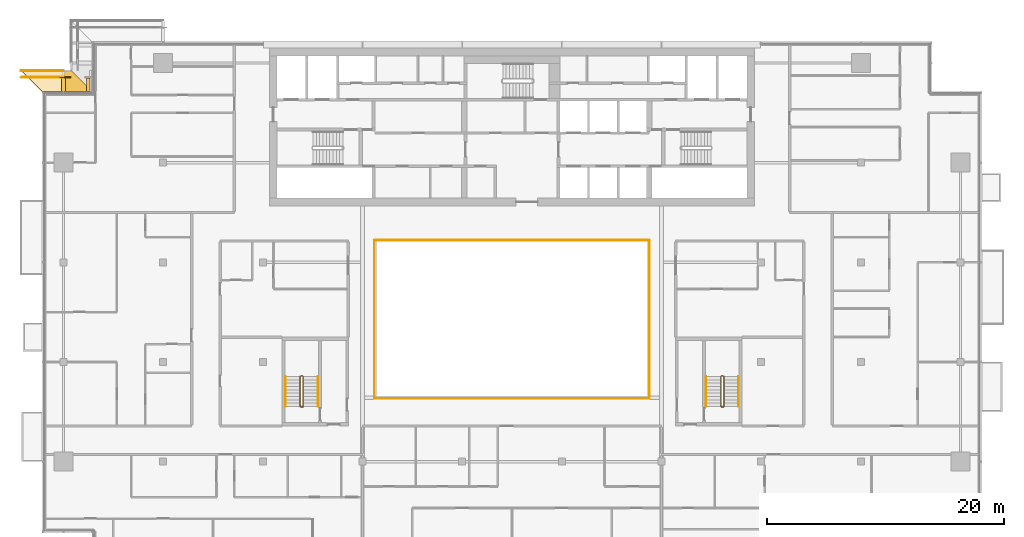
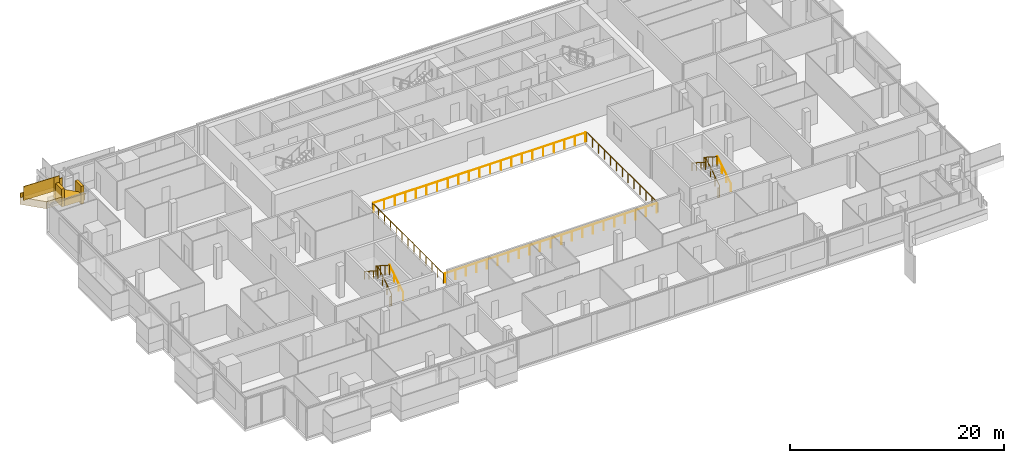
# One storey, part 26 of 30: 13 railings, 5 coverings.
"""IFC4 building model written with IfcOpenShell, lengths in metres."""

from ifc_helpers import new_model, si_unit, direction, frame, origin, origin_2d, place, context, subcontext, project, spatial, polyline, rectangle, circle, outline, extrude, material, layer, layer_set, type_object, element, save


model = new_model("IFC4")

# Units and contexts
model_context = context("Model", 3, precision=1e-05, world=origin(), true_north=direction((0.0, 1.0)))
body_context = subcontext(model_context, "Body", "Model", "MODEL_VIEW")
ifc_project = project(units=[si_unit("LENGTHUNIT", "METRE"), si_unit("AREAUNIT", "SQUARE_METRE"), si_unit("VOLUMEUNIT", "CUBIC_METRE"), si_unit("PLANEANGLEUNIT", "RADIAN"), si_unit("MASSUNIT", "GRAM", prefix="KILO")], contexts=[model_context])

# Site, building, storey
site_placement = place(None, origin())
site = spatial("IfcSite", under=ifc_project, at=site_placement, CompositionType="ELEMENT")
building_placement = place(site_placement, origin())
building = spatial("IfcBuilding", under=site, at=building_placement, Name="Saffron Gate Tower", CompositionType="ELEMENT")
storey_placement = place(building_placement, frame((0.0, 0.0, 216.300048828125)))
storey = spatial("IfcBuildingStorey", under=building, at=storey_placement, Name="L52", CompositionType="ELEMENT", Elevation=216.300048828125)

# Railings
ifc_material_1 = material(Name="Stainless steel and laminated glass", Category="steel")
railing_type_1 = type_object("IfcRailingType", Name="AG1 Atrium edge guard 1100", PredefinedType="GUARDRAIL", material=ifc_material_1)
railing_1_placement = place(storey_placement, frame((76.02001953125, 45.5400390625, 0.0)))
element("IfcRailing", 1, at=railing_1_placement, inside=storey, type_object=railing_type_1, Name="Guard D2-1", PredefinedType="GUARDRAIL", context=body_context, shape_type="SweptSolid", body=[
    extrude(circle(Radius=0.02392578125, at=origin_2d()), frame((0.0, 0.0, 1.076171875), z_axis=(0.0, 1.0, 0.0), x_axis=(-1.0, 0.0, 0.0)), (0.0, 0.0, 1.0), 13.320068359375),
    extrude(circle(Radius=0.02099609375, at=origin_2d()), origin(), (0.0, 0.0, 1.0), 1.052001953125),
    extrude(circle(Radius=0.02099609375, at=origin_2d()), frame((0.0, 1.110107421875, 0.0)), (0.0, 0.0, 1.0), 1.052001953125),
    extrude(circle(Radius=0.02099609375, at=origin_2d()), frame((0.0, 2.219970703125, 0.0)), (0.0, 0.0, 1.0), 1.052001953125),
    extrude(circle(Radius=0.02099609375, at=origin_2d()), frame((0.0, 3.330078125, 0.0)), (0.0, 0.0, 1.0), 1.052001953125),
    extrude(circle(Radius=0.02099609375, at=origin_2d()), frame((0.0, 4.43994140625, 0.0)), (0.0, 0.0, 1.0), 1.052001953125),
    extrude(circle(Radius=0.02099609375, at=origin_2d()), frame((0.0, 5.550048828125, 0.0)), (0.0, 0.0, 1.0), 1.052001953125),
    extrude(circle(Radius=0.02099609375, at=origin_2d()), frame((0.0, 6.66015625, 0.0)), (0.0, 0.0, 1.0), 1.052001953125),
    extrude(circle(Radius=0.02099609375, at=origin_2d()), frame((0.0, 7.77001953125, 0.0)), (0.0, 0.0, 1.0), 1.052001953125),
    extrude(circle(Radius=0.02099609375, at=origin_2d()), frame((0.0, 8.880126953125, 0.0)), (0.0, 0.0, 1.0), 1.052001953125),
    extrude(circle(Radius=0.02099609375, at=origin_2d()), frame((0.0, 9.989990234375, 0.0)), (0.0, 0.0, 1.0), 1.052001953125),
    extrude(circle(Radius=0.02099609375, at=origin_2d()), frame((0.0, 11.10009765625, 0.0)), (0.0, 0.0, 1.0), 1.052001953125),
    extrude(circle(Radius=0.02099609375, at=origin_2d()), frame((0.0, 12.2099609375, 0.0)), (0.0, 0.0, 1.0), 1.052001953125),
    extrude(circle(Radius=0.02099609375, at=origin_2d()), frame((0.0, 13.320068359375, 0.0)), (0.0, 0.0, 1.0), 1.052001953125),
])
railing_2_placement = place(storey_placement, frame((76.139892578125, 58.860107421875, 0.0)))
element("IfcRailing", 2, at=railing_2_placement, inside=storey, type_object=railing_type_1, Name="Guard D2-2", PredefinedType="GUARDRAIL", context=body_context, shape_type="SweptSolid", body=[
    extrude(circle(Radius=0.02392578125, at=origin_2d()), frame((0.0, 0.0, 1.076171875), z_axis=(1.0, 0.0, 0.0), x_axis=(0.0, 1.0, 0.0)), (0.0, 0.0, 1.0), 22.920166015625),
    extrude(circle(Radius=0.02099609375, at=origin_2d()), origin(), (0.0, 0.0, 1.0), 1.052001953125),
    extrude(circle(Radius=0.02099609375, at=origin_2d()), frame((1.14599609375, 0.0, 0.0)), (0.0, 0.0, 1.0), 1.052001953125),
    extrude(circle(Radius=0.02099609375, at=origin_2d()), frame((2.2919921875, 0.0, 0.0)), (0.0, 0.0, 1.0), 1.052001953125),
    extrude(circle(Radius=0.02099609375, at=origin_2d()), frame((3.43798828125, 0.0, 0.0)), (0.0, 0.0, 1.0), 1.052001953125),
    extrude(circle(Radius=0.02099609375, at=origin_2d()), frame((4.583984375, 0.0, 0.0)), (0.0, 0.0, 1.0), 1.052001953125),
    extrude(circle(Radius=0.02099609375, at=origin_2d()), frame((5.72998046875, 0.0, 0.0)), (0.0, 0.0, 1.0), 1.052001953125),
    extrude(circle(Radius=0.02099609375, at=origin_2d()), frame((6.8759765625, 0.0, 0.0)), (0.0, 0.0, 1.0), 1.052001953125),
    extrude(circle(Radius=0.02099609375, at=origin_2d()), frame((8.02197265625, 0.0, 0.0)), (0.0, 0.0, 1.0), 1.052001953125),
    extrude(circle(Radius=0.02099609375, at=origin_2d()), frame((9.16796875, 0.0, 0.0)), (0.0, 0.0, 1.0), 1.052001953125),
    extrude(circle(Radius=0.02099609375, at=origin_2d()), frame((10.31396484375, 0.0, 0.0)), (0.0, 0.0, 1.0), 1.052001953125),
    extrude(circle(Radius=0.02099609375, at=origin_2d()), frame((11.4599609375, 0.0, 0.0)), (0.0, 0.0, 1.0), 1.052001953125),
    extrude(circle(Radius=0.02099609375, at=origin_2d()), frame((12.606201171875, 0.0, 0.0)), (0.0, 0.0, 1.0), 1.052001953125),
    extrude(circle(Radius=0.02099609375, at=origin_2d()), frame((13.752197265625, 0.0, 0.0)), (0.0, 0.0, 1.0), 1.052001953125),
    extrude(circle(Radius=0.02099609375, at=origin_2d()), frame((14.898193359375, 0.0, 0.0)), (0.0, 0.0, 1.0), 1.052001953125),
    extrude(circle(Radius=0.02099609375, at=origin_2d()), frame((16.044189453125, 0.0, 0.0)), (0.0, 0.0, 1.0), 1.052001953125),
    extrude(circle(Radius=0.02099609375, at=origin_2d()), frame((17.190185546875, 0.0, 0.0)), (0.0, 0.0, 1.0), 1.052001953125),
    extrude(circle(Radius=0.02099609375, at=origin_2d()), frame((18.336181640625, 0.0, 0.0)), (0.0, 0.0, 1.0), 1.052001953125),
    extrude(circle(Radius=0.02099609375, at=origin_2d()), frame((19.482177734375, 0.0, 0.0)), (0.0, 0.0, 1.0), 1.052001953125),
    extrude(circle(Radius=0.02099609375, at=origin_2d()), frame((20.628173828125, 0.0, 0.0)), (0.0, 0.0, 1.0), 1.052001953125),
    extrude(circle(Radius=0.02099609375, at=origin_2d()), frame((21.774169921875, 0.0, 0.0)), (0.0, 0.0, 1.0), 1.052001953125),
    extrude(circle(Radius=0.02099609375, at=origin_2d()), frame((22.920166015625, 0.0, 0.0)), (0.0, 0.0, 1.0), 1.052001953125),
])
railing_3_placement = place(storey_placement, frame((99.179931640625, 58.860107421875, 0.0)))
element("IfcRailing", 3, at=railing_3_placement, inside=storey, type_object=railing_type_1, Name="Guard D2-3", PredefinedType="GUARDRAIL", context=body_context, shape_type="SweptSolid", body=[
    extrude(circle(Radius=0.02392578125, at=origin_2d()), frame((0.0, 0.0, 1.076171875), z_axis=(0.0, -1.0, 0.0), x_axis=(1.0, 0.0, 0.0)), (0.0, 0.0, 1.0), 13.320068359375),
    extrude(circle(Radius=0.02099609375, at=origin_2d()), origin(), (0.0, 0.0, 1.0), 1.052001953125),
    extrude(circle(Radius=0.02099609375, at=origin_2d()), frame((0.0, -1.110107421875, 0.0)), (0.0, 0.0, 1.0), 1.052001953125),
    extrude(circle(Radius=0.02099609375, at=origin_2d()), frame((0.0, -2.219970703125, 0.0)), (0.0, 0.0, 1.0), 1.052001953125),
    extrude(circle(Radius=0.02099609375, at=origin_2d()), frame((0.0, -3.330078125, 0.0)), (0.0, 0.0, 1.0), 1.052001953125),
    extrude(circle(Radius=0.02099609375, at=origin_2d()), frame((0.0, -4.43994140625, 0.0)), (0.0, 0.0, 1.0), 1.052001953125),
    extrude(circle(Radius=0.02099609375, at=origin_2d()), frame((0.0, -5.550048828125, 0.0)), (0.0, 0.0, 1.0), 1.052001953125),
    extrude(circle(Radius=0.02099609375, at=origin_2d()), frame((0.0, -6.66015625, 0.0)), (0.0, 0.0, 1.0), 1.052001953125),
    extrude(circle(Radius=0.02099609375, at=origin_2d()), frame((0.0, -7.77001953125, 0.0)), (0.0, 0.0, 1.0), 1.052001953125),
    extrude(circle(Radius=0.02099609375, at=origin_2d()), frame((0.0, -8.880126953125, 0.0)), (0.0, 0.0, 1.0), 1.052001953125),
    extrude(circle(Radius=0.02099609375, at=origin_2d()), frame((0.0, -9.989990234375, 0.0)), (0.0, 0.0, 1.0), 1.052001953125),
    extrude(circle(Radius=0.02099609375, at=origin_2d()), frame((0.0, -11.10009765625, 0.0)), (0.0, 0.0, 1.0), 1.052001953125),
    extrude(circle(Radius=0.02099609375, at=origin_2d()), frame((0.0, -12.2099609375, 0.0)), (0.0, 0.0, 1.0), 1.052001953125),
    extrude(circle(Radius=0.02099609375, at=origin_2d()), frame((0.0, -13.320068359375, 0.0)), (0.0, 0.0, 1.0), 1.052001953125),
])
railing_4_placement = place(storey_placement, frame((99.06005859375, 45.5400390625, 0.0)))
element("IfcRailing", 4, at=railing_4_placement, inside=storey, type_object=railing_type_1, Name="Guard D2-4", PredefinedType="GUARDRAIL", context=body_context, shape_type="SweptSolid", body=[
    extrude(circle(Radius=0.02392578125, at=origin_2d()), frame((0.0, 0.0, 1.076171875), z_axis=(-1.0, 0.0, 0.0), x_axis=(0.0, -1.0, 0.0)), (0.0, 0.0, 1.0), 22.920166015625),
    extrude(circle(Radius=0.02099609375, at=origin_2d()), origin(), (0.0, 0.0, 1.0), 1.052001953125),
    extrude(circle(Radius=0.02099609375, at=origin_2d()), frame((-1.14599609375, 0.0, 0.0)), (0.0, 0.0, 1.0), 1.052001953125),
    extrude(circle(Radius=0.02099609375, at=origin_2d()), frame((-2.2919921875, 0.0, 0.0)), (0.0, 0.0, 1.0), 1.052001953125),
    extrude(circle(Radius=0.02099609375, at=origin_2d()), frame((-3.43798828125, 0.0, 0.0)), (0.0, 0.0, 1.0), 1.052001953125),
    extrude(circle(Radius=0.02099609375, at=origin_2d()), frame((-4.583984375, 0.0, 0.0)), (0.0, 0.0, 1.0), 1.052001953125),
    extrude(circle(Radius=0.02099609375, at=origin_2d()), frame((-5.72998046875, 0.0, 0.0)), (0.0, 0.0, 1.0), 1.052001953125),
    extrude(circle(Radius=0.02099609375, at=origin_2d()), frame((-6.8759765625, 0.0, 0.0)), (0.0, 0.0, 1.0), 1.052001953125),
    extrude(circle(Radius=0.02099609375, at=origin_2d()), frame((-8.02197265625, 0.0, 0.0)), (0.0, 0.0, 1.0), 1.052001953125),
    extrude(circle(Radius=0.02099609375, at=origin_2d()), frame((-9.16796875, 0.0, 0.0)), (0.0, 0.0, 1.0), 1.052001953125),
    extrude(circle(Radius=0.02099609375, at=origin_2d()), frame((-10.31396484375, 0.0, 0.0)), (0.0, 0.0, 1.0), 1.052001953125),
    extrude(circle(Radius=0.02099609375, at=origin_2d()), frame((-11.4599609375, 0.0, 0.0)), (0.0, 0.0, 1.0), 1.052001953125),
    extrude(circle(Radius=0.02099609375, at=origin_2d()), frame((-12.606201171875, 0.0, 0.0)), (0.0, 0.0, 1.0), 1.052001953125),
    extrude(circle(Radius=0.02099609375, at=origin_2d()), frame((-13.752197265625, 0.0, 0.0)), (0.0, 0.0, 1.0), 1.052001953125),
    extrude(circle(Radius=0.02099609375, at=origin_2d()), frame((-14.898193359375, 0.0, 0.0)), (0.0, 0.0, 1.0), 1.052001953125),
    extrude(circle(Radius=0.02099609375, at=origin_2d()), frame((-16.044189453125, 0.0, 0.0)), (0.0, 0.0, 1.0), 1.052001953125),
    extrude(circle(Radius=0.02099609375, at=origin_2d()), frame((-17.190185546875, 0.0, 0.0)), (0.0, 0.0, 1.0), 1.052001953125),
    extrude(circle(Radius=0.02099609375, at=origin_2d()), frame((-18.336181640625, 0.0, 0.0)), (0.0, 0.0, 1.0), 1.052001953125),
    extrude(circle(Radius=0.02099609375, at=origin_2d()), frame((-19.482177734375, 0.0, 0.0)), (0.0, 0.0, 1.0), 1.052001953125),
    extrude(circle(Radius=0.02099609375, at=origin_2d()), frame((-20.628173828125, 0.0, 0.0)), (0.0, 0.0, 1.0), 1.052001953125),
    extrude(circle(Radius=0.02099609375, at=origin_2d()), frame((-21.774169921875, 0.0, 0.0)), (0.0, 0.0, 1.0), 1.052001953125),
    extrude(circle(Radius=0.02099609375, at=origin_2d()), frame((-22.920166015625, 0.0, 0.0)), (0.0, 0.0, 1.0), 1.052001953125),
])
railing_type_2 = type_object("IfcRailingType", Name="CR1 Stair guard 1100", PredefinedType="GUARDRAIL", material=ifc_material_1)
railing_5_placement = place(storey_placement, frame((69.800048828125, 44.800048828125, 0.0)))
element("IfcRailing", 5, at=railing_5_placement, inside=storey, type_object=railing_type_2, Name="L52 ST-D stair guard 1", PredefinedType="GUARDRAIL", context=body_context, shape_type="SweptSolid", body=[
    extrude(circle(Radius=0.02392578125, at=origin_2d()), frame((0.0, 0.0, 1.076171875), z_axis=(1.0, 0.0, 0.0), x_axis=(0.0, 1.0, 0.0)), (0.0, 0.0, 1.0), 0.14990234375),
    extrude(circle(Radius=0.02392578125, at=origin_2d()), frame((0.14990234375, 0.0, 1.076171875), z_axis=(0.258847668887, 0.258847668887, 0.930588936439), x_axis=(-0.707106781187, 0.707106781187, 0.0)), (0.0, 0.0, 1.0), 0.193359375),
    extrude(circle(Radius=0.02392578125, at=origin_2d()), frame((0.199951171875, 0.050048828125, 1.255859375), z_axis=(0.0, 0.841162588446, 0.540782303519), x_axis=(-1.0, 0.0, 0.0)), (0.0, 0.0, 1.0), 2.995849609375),
    extrude(circle(Radius=0.02392578125, at=origin_2d()), frame((0.199951171875, 2.570068359375, 2.8759765625), z_axis=(-0.708833529934, 0.705375805398, 0.0), x_axis=(-0.705375805398, -0.708833529934, 0.0)), (0.0, 0.0, 1.0), 0.070556640625),
    extrude(circle(Radius=0.02392578125, at=origin_2d()), frame((0.14990234375, 2.619873046875, 2.8759765625), z_axis=(-1.0, 0.0, 0.0), x_axis=(0.0, -1.0, 0.0)), (0.0, 0.0, 1.0), 0.14990234375),
    extrude(circle(Radius=0.02392578125, at=origin_2d()), frame((0.0, 2.619873046875, 2.8759765625), z_axis=(-0.258932105505, -0.257669022063, 0.930892496375), x_axis=(0.705375805398, -0.708833529934, 0.0)), (0.0, 0.0, 1.0), 0.193359375),
    extrude(circle(Radius=0.02392578125, at=origin_2d()), frame((-0.050048828125, 2.570068359375, 3.05615234375), z_axis=(0.0, -0.841199657755, 0.540724639528), x_axis=(1.0, 0.0, 0.0)), (0.0, 0.0, 1.0), 2.995849609375),
    extrude(circle(Radius=0.02099609375, at=origin_2d()), origin(), (0.0, 0.0, 1.0), 1.052001953125),
    extrude(circle(Radius=0.02099609375, at=origin_2d()), frame((0.14990234375, 0.0, 0.0)), (0.0, 0.0, 1.0), 1.052001953125),
    extrude(circle(Radius=0.02099609375, at=origin_2d()), frame((0.199951171875, 0.050048828125, 0.179931640625)), (0.0, 0.0, 1.0), 1.052001953125),
    extrude(circle(Radius=0.02099609375, at=origin_2d()), frame((0.199951171875, 0.89013671875, 0.719970703125)), (0.0, 0.0, 1.0), 1.052001953125),
    extrude(circle(Radius=0.02099609375, at=origin_2d()), frame((0.199951171875, 1.72998046875, 1.260009765625)), (0.0, 0.0, 1.0), 1.052001953125),
    extrude(circle(Radius=0.02099609375, at=origin_2d()), frame((0.199951171875, 2.570068359375, 1.800048828125)), (0.0, 0.0, 1.0), 1.052001953125),
    extrude(circle(Radius=0.02099609375, at=origin_2d()), frame((0.14990234375, 2.619873046875, 1.800048828125)), (0.0, 0.0, 1.0), 1.052001953125),
    extrude(circle(Radius=0.02099609375, at=origin_2d()), frame((0.0, 2.619873046875, 1.800048828125)), (0.0, 0.0, 1.0), 1.052001953125),
    extrude(circle(Radius=0.02099609375, at=origin_2d()), frame((-0.050048828125, 2.570068359375, 1.97998046875)), (0.0, 0.0, 1.0), 1.052001953125),
    extrude(circle(Radius=0.02099609375, at=origin_2d()), frame((-0.050048828125, 1.72998046875, 2.52001953125)), (0.0, 0.0, 1.0), 1.052001953125),
    extrude(circle(Radius=0.02099609375, at=origin_2d()), frame((-0.050048828125, 0.89013671875, 3.059814453125)), (0.0, 0.0, 1.0), 1.052001953125),
    extrude(circle(Radius=0.02099609375, at=origin_2d()), frame((-0.050048828125, 0.050048828125, 3.599853515625)), (0.0, 0.0, 1.0), 1.052001953125),
])
railing_6_placement = place(storey_placement, frame((105.25, 44.800048828125, 0.0)))
element("IfcRailing", 6, at=railing_6_placement, inside=storey, type_object=railing_type_2, Name="L52 ST-E stair guard 1", PredefinedType="GUARDRAIL", context=body_context, shape_type="SweptSolid", body=[
    extrude(circle(Radius=0.02392578125, at=origin_2d()), frame((0.0, 0.0, 1.076171875), z_axis=(1.0, 0.0, 0.0), x_axis=(0.0, 1.0, 0.0)), (0.0, 0.0, 1.0), 0.14990234375),
    extrude(circle(Radius=0.02392578125, at=origin_2d()), frame((0.14990234375, 0.0, 1.076171875), z_axis=(0.258847668887, 0.258847668887, 0.930588936439), x_axis=(-0.707106781187, 0.707106781187, 0.0)), (0.0, 0.0, 1.0), 0.193359375),
    extrude(circle(Radius=0.02392578125, at=origin_2d()), frame((0.199951171875, 0.050048828125, 1.255859375), z_axis=(0.0, 0.841162588446, 0.540782303519), x_axis=(-1.0, 0.0, 0.0)), (0.0, 0.0, 1.0), 2.995849609375),
    extrude(circle(Radius=0.02392578125, at=origin_2d()), frame((0.199951171875, 2.570068359375, 2.8759765625), z_axis=(-0.708833529934, 0.705375805398, 0.0), x_axis=(-0.705375805398, -0.708833529934, 0.0)), (0.0, 0.0, 1.0), 0.070556640625),
    extrude(circle(Radius=0.02392578125, at=origin_2d()), frame((0.14990234375, 2.619873046875, 2.8759765625), z_axis=(-1.0, 0.0, 0.0), x_axis=(0.0, -1.0, 0.0)), (0.0, 0.0, 1.0), 0.14990234375),
    extrude(circle(Radius=0.02392578125, at=origin_2d()), frame((0.0, 2.619873046875, 2.8759765625), z_axis=(-0.258932105505, -0.257669022063, 0.930892496375), x_axis=(0.705375805398, -0.708833529934, 0.0)), (0.0, 0.0, 1.0), 0.193359375),
    extrude(circle(Radius=0.02392578125, at=origin_2d()), frame((-0.050048828125, 2.570068359375, 3.05615234375), z_axis=(0.0, -0.841199657755, 0.540724639528), x_axis=(1.0, 0.0, 0.0)), (0.0, 0.0, 1.0), 2.995849609375),
    extrude(circle(Radius=0.02099609375, at=origin_2d()), origin(), (0.0, 0.0, 1.0), 1.052001953125),
    extrude(circle(Radius=0.02099609375, at=origin_2d()), frame((0.14990234375, 0.0, 0.0)), (0.0, 0.0, 1.0), 1.052001953125),
    extrude(circle(Radius=0.02099609375, at=origin_2d()), frame((0.199951171875, 0.050048828125, 0.179931640625)), (0.0, 0.0, 1.0), 1.052001953125),
    extrude(circle(Radius=0.02099609375, at=origin_2d()), frame((0.199951171875, 0.89013671875, 0.719970703125)), (0.0, 0.0, 1.0), 1.052001953125),
    extrude(circle(Radius=0.02099609375, at=origin_2d()), frame((0.199951171875, 1.72998046875, 1.260009765625)), (0.0, 0.0, 1.0), 1.052001953125),
    extrude(circle(Radius=0.02099609375, at=origin_2d()), frame((0.199951171875, 2.570068359375, 1.800048828125)), (0.0, 0.0, 1.0), 1.052001953125),
    extrude(circle(Radius=0.02099609375, at=origin_2d()), frame((0.14990234375, 2.619873046875, 1.800048828125)), (0.0, 0.0, 1.0), 1.052001953125),
    extrude(circle(Radius=0.02099609375, at=origin_2d()), frame((0.0, 2.619873046875, 1.800048828125)), (0.0, 0.0, 1.0), 1.052001953125),
    extrude(circle(Radius=0.02099609375, at=origin_2d()), frame((-0.050048828125, 2.570068359375, 1.97998046875)), (0.0, 0.0, 1.0), 1.052001953125),
    extrude(circle(Radius=0.02099609375, at=origin_2d()), frame((-0.050048828125, 1.72998046875, 2.52001953125)), (0.0, 0.0, 1.0), 1.052001953125),
    extrude(circle(Radius=0.02099609375, at=origin_2d()), frame((-0.050048828125, 0.89013671875, 3.059814453125)), (0.0, 0.0, 1.0), 1.052001953125),
    extrude(circle(Radius=0.02099609375, at=origin_2d()), frame((-0.050048828125, 0.050048828125, 3.599853515625)), (0.0, 0.0, 1.0), 1.052001953125),
])
ifc_material_2 = material(Name="Stainless steel", Category="steel")
railing_type_3 = type_object("IfcRailingType", Name="CR2 Stair handrail 900", PredefinedType="HANDRAIL", material=ifc_material_2)
railing_7_placement = place(storey_placement, frame((71.25, 44.85009765625, 0.179931640625)))
element("IfcRailing", 7, at=railing_7_placement, inside=storey, type_object=railing_type_3, Name="L52 ST-D stair handrail 1", PredefinedType="HANDRAIL", context=body_context, shape_type="SweptSolid", body=[
    extrude(circle(Radius=0.02392578125, at=origin_2d()), frame((0.0, 0.0, 0.8759765625), z_axis=(0.0, 0.841162588446, 0.540782303519), x_axis=(-1.0, 0.0, 0.0)), (0.0, 0.0, 1.0), 2.995849609375),
    extrude(circle(Radius=0.02099609375, at=origin_2d()), origin(), (0.0, 0.0, 1.0), 0.851806640625),
    extrude(circle(Radius=0.02099609375, at=origin_2d()), frame((0.0, 0.840087890625, 0.5400390625)), (0.0, 0.0, 1.0), 0.851806640625),
    extrude(circle(Radius=0.02099609375, at=origin_2d()), frame((0.0, 1.679931640625, 1.080078125)), (0.0, 0.0, 1.0), 0.851806640625),
    extrude(circle(Radius=0.02099609375, at=origin_2d()), frame((0.0, 2.52001953125, 1.6201171875)), (0.0, 0.0, 1.0), 0.851806640625),
])
railing_8_placement = place(storey_placement, frame((68.5, 47.3701171875, 1.97998046875)))
element("IfcRailing", 8, at=railing_8_placement, inside=storey, type_object=railing_type_3, Name="L52 ST-D stair handrail 2", PredefinedType="HANDRAIL", context=body_context, shape_type="SweptSolid", body=[
    extrude(circle(Radius=0.02392578125, at=origin_2d()), frame((0.0, 0.0, 0.8759765625), z_axis=(0.0, -0.841199657755, 0.540724639528), x_axis=(1.0, 0.0, 0.0)), (0.0, 0.0, 1.0), 2.995849609375),
    extrude(circle(Radius=0.02099609375, at=origin_2d()), origin(), (0.0, 0.0, 1.0), 0.851806640625),
    extrude(circle(Radius=0.02099609375, at=origin_2d()), frame((0.0, -0.840087890625, 0.5400390625)), (0.0, 0.0, 1.0), 0.851806640625),
    extrude(circle(Radius=0.02099609375, at=origin_2d()), frame((0.0, -1.679931640625, 1.079833984375)), (0.0, 0.0, 1.0), 0.851806640625),
    extrude(circle(Radius=0.02099609375, at=origin_2d()), frame((0.0, -2.52001953125, 1.619873046875)), (0.0, 0.0, 1.0), 0.851806640625),
])
railing_9_placement = place(storey_placement, frame((106.699951171875, 44.85009765625, 0.179931640625)))
element("IfcRailing", 9, at=railing_9_placement, inside=storey, type_object=railing_type_3, Name="L52 ST-E stair handrail 1", PredefinedType="HANDRAIL", context=body_context, shape_type="SweptSolid", body=[
    extrude(circle(Radius=0.02392578125, at=origin_2d()), frame((0.0, 0.0, 0.8759765625), z_axis=(0.0, 0.841162588446, 0.540782303519), x_axis=(-1.0, 0.0, 0.0)), (0.0, 0.0, 1.0), 2.995849609375),
    extrude(circle(Radius=0.02099609375, at=origin_2d()), origin(), (0.0, 0.0, 1.0), 0.851806640625),
    extrude(circle(Radius=0.02099609375, at=origin_2d()), frame((0.0, 0.840087890625, 0.5400390625)), (0.0, 0.0, 1.0), 0.851806640625),
    extrude(circle(Radius=0.02099609375, at=origin_2d()), frame((0.0, 1.679931640625, 1.080078125)), (0.0, 0.0, 1.0), 0.851806640625),
    extrude(circle(Radius=0.02099609375, at=origin_2d()), frame((0.0, 2.52001953125, 1.6201171875)), (0.0, 0.0, 1.0), 0.851806640625),
])
railing_10_placement = place(storey_placement, frame((103.949951171875, 47.3701171875, 1.97998046875)))
element("IfcRailing", 10, at=railing_10_placement, inside=storey, type_object=railing_type_3, Name="L52 ST-E stair handrail 2", PredefinedType="HANDRAIL", context=body_context, shape_type="SweptSolid", body=[
    extrude(circle(Radius=0.02392578125, at=origin_2d()), frame((0.0, 0.0, 0.8759765625), z_axis=(0.0, -0.841199657755, 0.540724639528), x_axis=(1.0, 0.0, 0.0)), (0.0, 0.0, 1.0), 2.995849609375),
    extrude(circle(Radius=0.02099609375, at=origin_2d()), origin(), (0.0, 0.0, 1.0), 0.851806640625),
    extrude(circle(Radius=0.02099609375, at=origin_2d()), frame((0.0, -0.840087890625, 0.5400390625)), (0.0, 0.0, 1.0), 0.851806640625),
    extrude(circle(Radius=0.02099609375, at=origin_2d()), frame((0.0, -1.679931640625, 1.079833984375)), (0.0, 0.0, 1.0), 0.851806640625),
    extrude(circle(Radius=0.02099609375, at=origin_2d()), frame((0.0, -2.52001953125, 1.619873046875)), (0.0, 0.0, 1.0), 0.851806640625),
])

# Coverings
ifc_material_3 = material(Name="Timber, thermally modified ash", Category="wood")
ifc_layer_1 = layer(ifc_material_3, 0.800048828125)
ifc_layer_set_1 = layer_set([ifc_layer_1], Name="LD1 ledge timber")
covering_type_1 = type_object("IfcCoveringType", Name="LD1 ledge timber", PredefinedType="CLADDING", material=ifc_layer_set_1)
covering_1_placement = place(storey_placement, frame((52.199951171875, 71.39990234375, 2.97802734375), z_axis=(0.028798988267, 2.8677152e-05, 0.999585222706), x_axis=(-0.999585223117, 6.17e-10, 0.028798988279)))
element("IfcCovering", 11, at=covering_1_placement, inside=storey, type_object=covering_type_1, Name="LEDGE", PredefinedType="CLADDING", context=body_context, shape_type="SweptSolid", body=[
    extrude(outline(polyline([(0.0, 0.0), (2.400896693585025, -4.235164736271502e-22), (2.400896694694882, -1.8000488273848385), (1.8007927832284332, -1.8000488292351673), (0.0, 0.0)])), origin(), (0.0, 0.0, -1.0), 0.800048828125),
])
covering_2_placement = place(storey_placement, frame((49.800048828125, 71.39990234375, 3.39013671875), z_axis=(0.028741681402, 0.0, 0.999586872538), x_axis=(-0.999586872538, 0.0, 0.028741681402)))
element("IfcCovering", 12, at=covering_2_placement, inside=storey, type_object=covering_type_1, Name="LEDGE", PredefinedType="CLADDING", context=body_context, shape_type="SweptSolid", body=[
    extrude(outline(polyline([(0.0, 0.0), (1.8007927850779974, 0.0), (3.601585570155995, -1.800048828125), (0.0, -1.800048828125), (0.0, 0.0)])), origin(), (0.0, 0.0, -1.0), 0.800048828125),
])
ifc_layer_2 = layer(ifc_material_3, 0.080078125)
ifc_layer_set_2 = layer_set([ifc_layer_2], Name="LD2 ledge planter trough")
covering_type_2 = type_object("IfcCoveringType", Name="LD2 ledge planter trough", PredefinedType="CLADDING", material=ifc_layer_set_2)
covering_3_placement = place(storey_placement, frame((49.800048828125, 73.199951171875, 3.39013671875), z_axis=(0.0, 1.0, 0.0), x_axis=(-0.999586872538, 0.0, 0.028741681402)))
element("IfcCovering", 13, at=covering_3_placement, inside=storey, type_object=covering_type_2, Name="LEDGE planter trough", PredefinedType="CLADDING", context=body_context, shape_type="SweptSolid", body=[
    extrude(outline(polyline([(0.0, 0.0), (3.601585570155995, 0.0), (3.6159564108570694, 0.49979343626896944), (0.014370840701074394, 0.4997934362689694), (0.0, 0.0)])), origin(), (0.0, 0.0, -1.0), 0.080078125),
])
ifc_layer_3 = layer(ifc_material_3, 0.300048828125)
ifc_layer_set_3 = layer_set([ifc_layer_3], Name="LD3 ledge riser fin")
covering_type_3 = type_object("IfcCoveringType", Name="LD3 ledge riser fin", PredefinedType="CLADDING", material=ifc_layer_set_3)
for number, where, z_axis, x_axis, name in (
    (14, (51.89990234375, 71.9599609375, 1.8349609375), (0.0, 0.0, 1.0), (-1.0, 0.0, 0.0), "LEDGE riser fin"),
    (15, (49.800048828125, 71.9599609375, 2.2470703125), (0.0, 0.0, 1.0), (-1.0, 0.0, 0.0), "LEDGE riser fin"),
):
    element("IfcCovering", number, at=place(storey_placement, frame(where, z_axis=z_axis, x_axis=x_axis)), inside=storey, type_object=covering_type_3, Name=name, PredefinedType="CLADDING", context=body_context, shape_type="SweptSolid", body=[
        extrude(rectangle(XDim=0.300048828125, YDim=1.1201171875, at=origin_2d()), origin(), (0.0, 0.0, 1.0), 2.04296875),
    ])

# Railings
railing_type_4 = type_object("IfcRailingType", Name="LG1 ledge balustrade", PredefinedType="BALUSTRADE", material=ifc_material_3)
railing_11_placement = place(storey_placement, frame((50.39990234375, 72.60009765625, 3.02978515625)))
element("IfcRailing", 16, at=railing_11_placement, inside=storey, type_object=railing_type_4, Name="LEDGE BALUSTRADE", PredefinedType="BALUSTRADE", context=body_context, shape_type="SweptSolid", body=[
    extrude(rectangle(XDim=0.06005859375, YDim=1.60009765625, at=origin_2d()), frame((0.0, 0.0, 0.800048828125), z_axis=(-0.999582742162, 0.0, 0.028884971385), x_axis=(0.0, -1.0, 0.0)), (0.0, 0.0, 1.0), 0.60009765625),
])
railing_12_placement = place(storey_placement, frame((49.800048828125, 72.60009765625, 3.39013671875)))
element("IfcRailing", 17, at=railing_12_placement, inside=storey, type_object=railing_type_4, Name="LEDGE BALUSTRADE", PredefinedType="BALUSTRADE", context=body_context, shape_type="SweptSolid", body=[
    extrude(rectangle(XDim=0.06005859375, YDim=1.60009765625, at=origin_2d()), frame((0.0, 0.0, 0.800048828125), z_axis=(-0.999586872538, 0.0, 0.028741681402), x_axis=(0.0, -1.0, 0.0)), (0.0, 0.0, 1.0), 3.6015625),
])
railing_13_placement = place(storey_placement, frame((50.10009765625, 72.60009765625, 3.047119140625)))
element("IfcRailing", 18, at=railing_13_placement, inside=storey, type_object=railing_type_4, Name="LEDGE BALUSTRADE", PredefinedType="BALUSTRADE", context=body_context, shape_type="SweptSolid", body=[
    extrude(rectangle(XDim=0.06005859375, YDim=1.943115234375, at=origin_2d()), frame((0.0, 0.0, 0.9716796875), z_axis=(-1.0, 0.0, 0.0), x_axis=(0.0, -1.0, 0.0)), (0.0, 0.0, 1.0), 0.60009765625),
])

save(model, "model.ifc")
